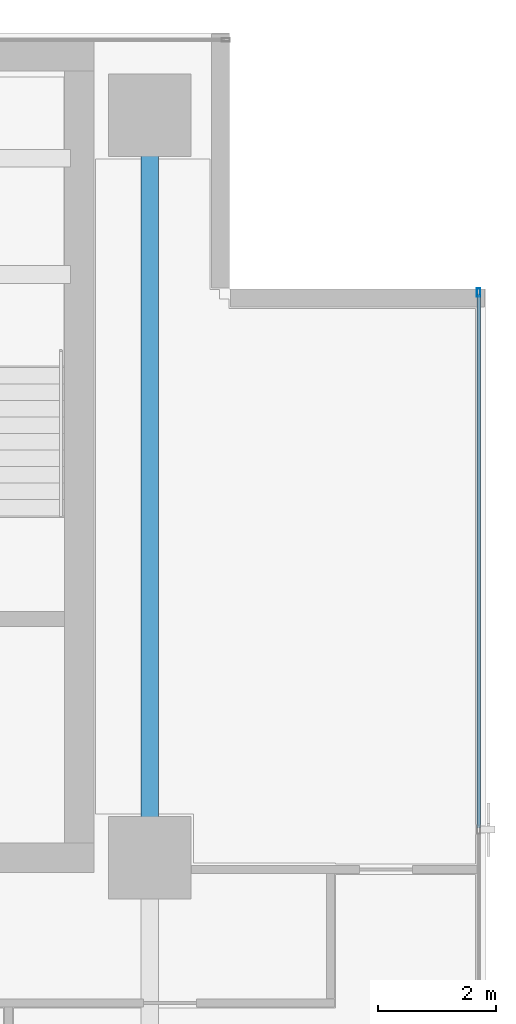
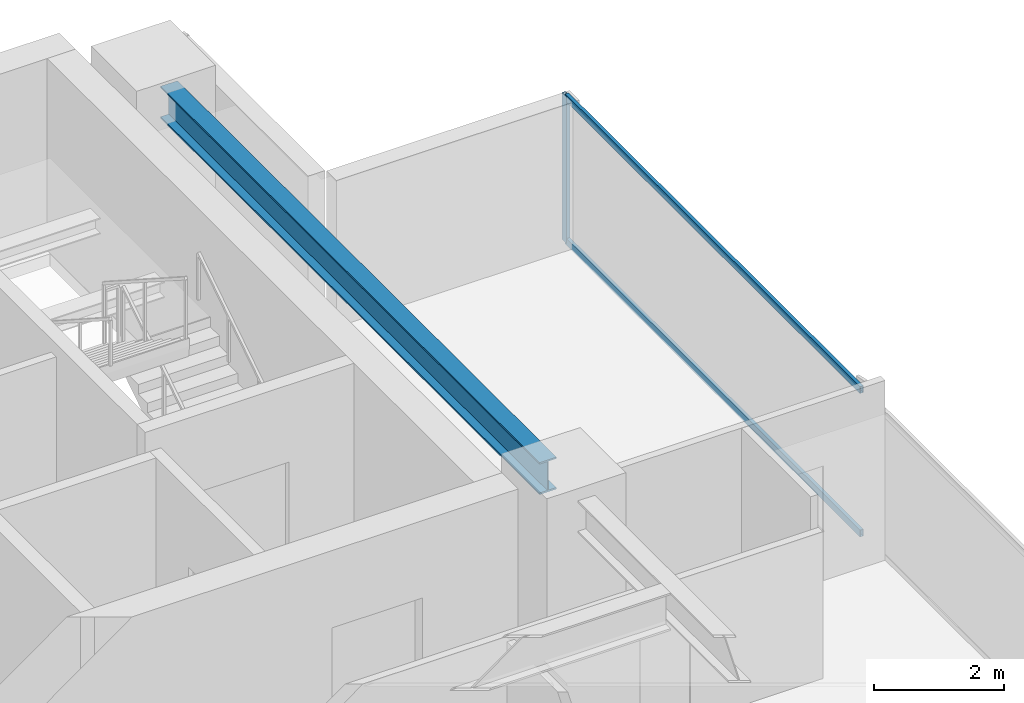
# One storey, part 14 of 25: 3 members, 1 beam, 1 element without a shape of its own.
"""IFC4 building model written with IfcOpenShell, lengths in metres."""

from ifc_helpers import new_model, si_unit, direction, frame, origin, origin_2d, place, context, subcontext, project, spatial, hollow_rectangle, i_section, extrude, source, transform, mapped, material, layer, layer_set, material_profile, profile_set, type_object, element, aggregate, save


model = new_model("IFC4")

# Units and contexts
model_context = context("Model", 3, precision=1e-05, world=origin(), true_north=direction((0.0, 1.0)))
body_context = subcontext(model_context, "Body", "Model", "MODEL_VIEW")
ifc_project = project(units=[si_unit("LENGTHUNIT", "METRE"), si_unit("AREAUNIT", "SQUARE_METRE"), si_unit("VOLUMEUNIT", "CUBIC_METRE"), si_unit("PLANEANGLEUNIT", "RADIAN"), si_unit("MASSUNIT", "GRAM", prefix="KILO")], contexts=[model_context])

# Site, building, storey
site_placement = place(None, origin())
site = spatial("IfcSite", under=ifc_project, at=site_placement, CompositionType="ELEMENT")
building_placement = place(site_placement, origin())
building = spatial("IfcBuilding", under=site, at=building_placement, Name="Sumidabori Civic Tower", CompositionType="ELEMENT")
storey_placement = place(building_placement, frame((0.0, 0.0, 239.60009765625)))
storey = spatial("IfcBuildingStorey", under=building, at=storey_placement, Name="L62", CompositionType="ELEMENT", Elevation=239.60009765625)

# Beam
ifc_material_1 = material(Name="Steel SN490", Category="steel")
ifc_material_profile_1 = material_profile(ifc_material_1, i_section(OverallWidth=0.300048828125, OverallDepth=0.60009765625, WebThickness=0.015380859375, FlangeThickness=0.030029296875, at=origin_2d()), Name="HE 600 B")
ifc_profile_set_1 = profile_set([ifc_material_profile_1], Name="Steel SN490")
beam_type = type_object("IfcBeamType", Name="BM-GIRD-600", PredefinedType="BEAM", material=ifc_profile_set_1)
shared_shape_1 = source(origin(), body_context, "Body", "SweptSolid", [
    extrude(i_section(OverallWidth=0.300048828125, OverallDepth=0.60009765625, WebThickness=0.015380859375, FlangeThickness=0.030029296875, at=origin_2d()), origin(), (0.0, 0.0, 1.0), 11.64013671875),
])
beam_placement = place(storey_placement, frame((16.800048828125, 10.679931640625, 3.06982421875), z_axis=(0.0, 1.0, 0.0), x_axis=(-1.0, 0.0, 0.0)))
element("IfcBeam", 1, at=beam_placement, inside=storey, type_object=beam_type, Name="Primary Girder L62 GY-17", PredefinedType="BEAM", context=body_context, shape_type="MappedRepresentation", body=[
    mapped(shared_shape_1, transform((0.0, 0.0, 0.0), x_axis=(1.0, 0.0, 0.0), y_axis=(0.0, 1.0, 0.0), z_axis=(0.0, 0.0, 1.0), scale=1.0)),
])

# Curtain wall, members
ifc_material_2 = material(Name="Anodised Bronze Aluminium AW-6063-T6", Category="aluminium")
ifc_layer = layer(ifc_material_2, 0.179931640625, Name="Anodised Bronze Aluminium AW-6063-T6")
ifc_layer_set = layer_set([ifc_layer], Name="Anodised Bronze Aluminium AW-6063-T6")
curtain_wall_type = type_object("IfcCurtainWallType", Name="CW-SYS-5", PredefinedType="NOTDEFINED", material=ifc_layer_set)
curtain_wall_placement = place(storey_placement, origin())
curtain_wall = element("IfcCurtainWall", 2, at=curtain_wall_placement, inside=storey, type_object=curtain_wall_type, Name="Curtain Wall CW:L62:R04", PredefinedType="NOTDEFINED")
ifc_material_profile_2 = material_profile(ifc_material_2, hollow_rectangle(XDim=0.06005859375, YDim=0.139892578125, WallThickness=0.0048828125, at=origin_2d()), Name="ALU MULLION 140x60")
ifc_profile_set_2 = profile_set([ifc_material_profile_2], Name="Anodised Bronze Aluminium AW-6063-T6")
member_type_1 = type_object("IfcMemberType", Name="CW-MUL-140", PredefinedType="MULLION", material=ifc_profile_set_2)
shared_shape_2 = source(origin(), body_context, "Body", "SweptSolid", [
    extrude(hollow_rectangle(XDim=0.06005859375, YDim=0.139892578125, WallThickness=0.0048828125, at=origin_2d()), origin(), (0.0, 0.0, 1.0), 2.75),
])
member_1_placement = place(storey_placement, frame((22.3798828125, 19.7900390625, 0.0), z_axis=(0.0, 0.0, 1.0), x_axis=(-1.0, 0.0, 0.0)))
member_1 = element("IfcMember", 3, at=member_1_placement, type_object=member_type_1, Name="CW-5 mullion 4", PredefinedType="MULLION", context=body_context, shape_type="MappedRepresentation", body=[
    mapped(shared_shape_2, transform((0.0, 0.0, 0.0), x_axis=(1.0, 0.0, 0.0), y_axis=(0.0, 1.0, 0.0), z_axis=(0.0, 0.0, 1.0), scale=1.0)),
])
ifc_material_profile_3 = material_profile(ifc_material_2, hollow_rectangle(XDim=0.06005859375, YDim=0.1298828125, WallThickness=0.0048828125, at=origin_2d()), Name="ALU TRANSOM 130x60")
ifc_profile_set_3 = profile_set([ifc_material_profile_3], Name="Anodised Bronze Aluminium AW-6063-T6")
member_type_2 = type_object("IfcMemberType", Name="CW-TRN-130", PredefinedType="USERDEFINED", material=ifc_profile_set_3)
shared_shape_3 = source(origin(), body_context, "Body", "SweptSolid", [
    extrude(hollow_rectangle(XDim=0.06005859375, YDim=0.1298828125, WallThickness=0.0048828125, at=origin_2d()), origin(), (0.0, 0.0, 1.0), 9.056640625),
])
member_2_placement = place(storey_placement, frame((22.3798828125, 10.703369140625, 0.02978515625), z_axis=(0.0, 1.0, 0.0), x_axis=(-1.0, 0.0, 0.0)))
member_2 = element("IfcMember", 4, at=member_2_placement, type_object=member_type_2, Name="CW-5 transom 3.1", ObjectType="TRANSOM", PredefinedType="USERDEFINED", context=body_context, shape_type="MappedRepresentation", body=[
    mapped(shared_shape_3, transform((0.0, 0.0, 0.0), x_axis=(1.0, 0.0, 0.0), y_axis=(0.0, 1.0, 0.0), z_axis=(0.0, 0.0, 1.0), scale=1.0)),
])
member_3_placement = place(storey_placement, frame((22.3798828125, 10.703369140625, 2.719970703125), z_axis=(0.0, 1.0, 0.0), x_axis=(-1.0, 0.0, 0.0)))
member_3 = element("IfcMember", 5, at=member_3_placement, type_object=member_type_2, Name="CW-5 transom 3.2", ObjectType="TRANSOM", PredefinedType="USERDEFINED", context=body_context, shape_type="MappedRepresentation", body=[
    mapped(shared_shape_3, transform((0.0, 0.0, 0.0), x_axis=(1.0, 0.0, 0.0), y_axis=(0.0, 1.0, 0.0), z_axis=(0.0, 0.0, 1.0), scale=1.0)),
])
aggregate(curtain_wall, [member_1, member_2, member_3])

save(model, "model.ifc")
